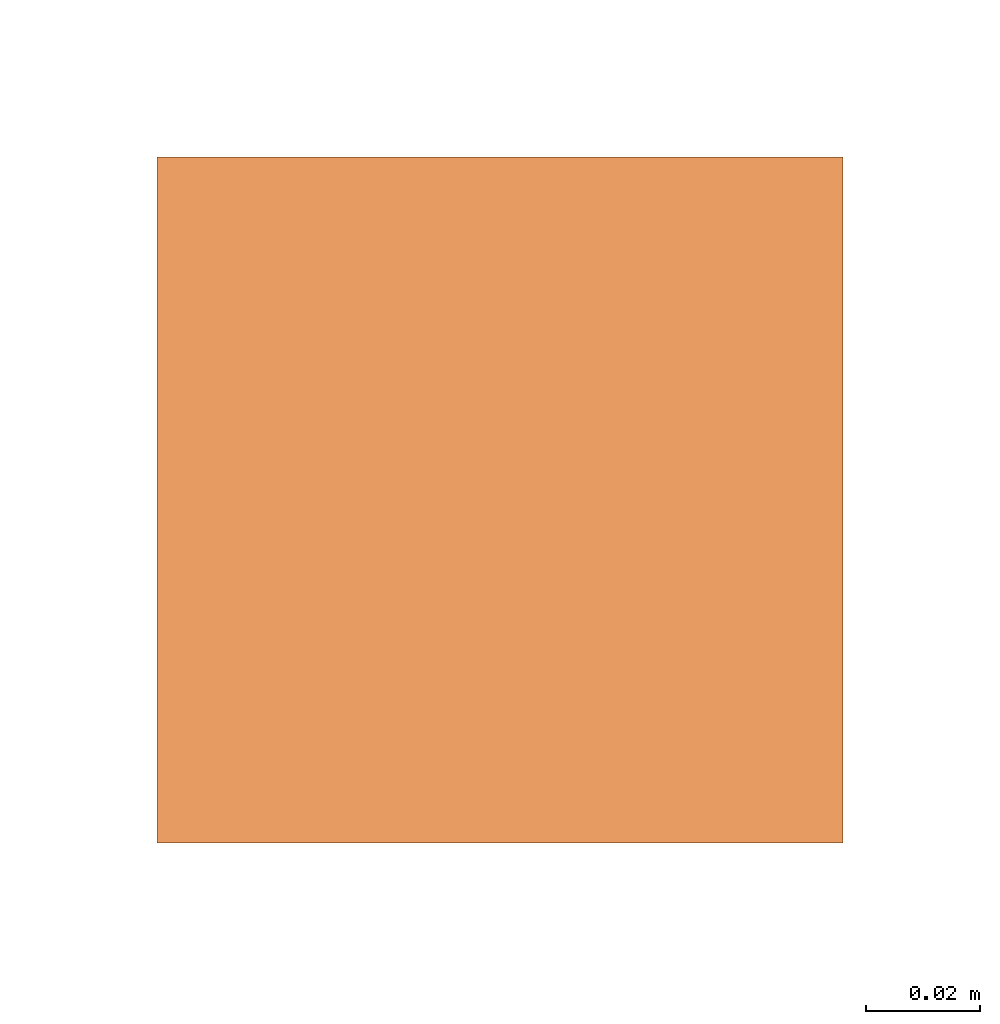
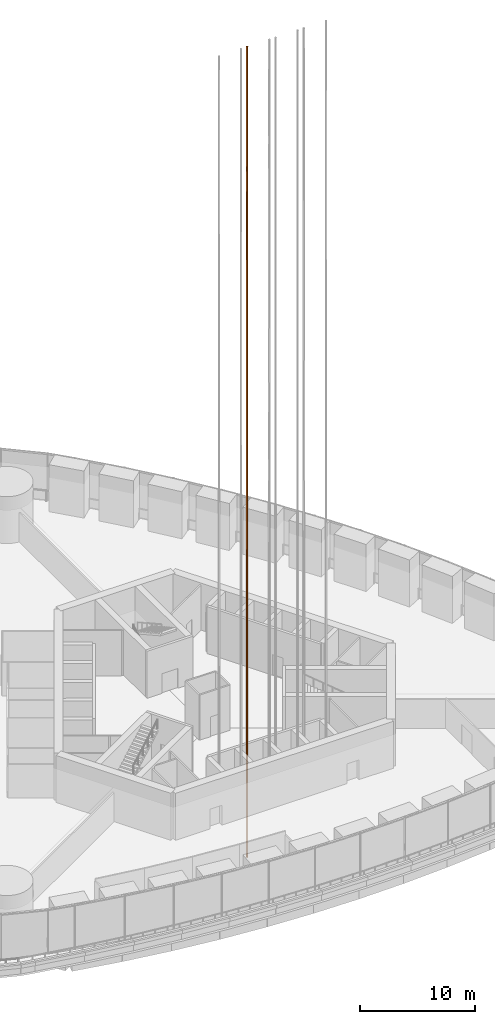
# One storey, part 28 of 33: 1 proxy.
"""IFC4 building model written with IfcOpenShell, lengths in metres."""

from ifc_helpers import new_model, si_unit, direction, frame, origin, origin_2d, place, context, subcontext, project, spatial, rectangle, extrude, element, save


model = new_model("IFC4")

# Units and contexts
model_context = context("Model", 3, precision=1e-05, world=origin(), true_north=direction((0.0, 1.0)))
body_context = subcontext(model_context, "Body", "Model", "MODEL_VIEW")
ifc_project = project(units=[si_unit("LENGTHUNIT", "METRE"), si_unit("AREAUNIT", "SQUARE_METRE"), si_unit("VOLUMEUNIT", "CUBIC_METRE"), si_unit("PLANEANGLEUNIT", "RADIAN"), si_unit("MASSUNIT", "GRAM", prefix="KILO")], contexts=[model_context])

# Site, building, storey
site_placement = place(None, origin())
site = spatial("IfcSite", under=ifc_project, at=site_placement, CompositionType="ELEMENT")
building_placement = place(site_placement, origin())
building = spatial("IfcBuilding", under=site, at=building_placement, Name="Trefoil Bronze Tower", CompositionType="ELEMENT")
storey_placement = place(building_placement, frame((0.0, 0.0, 98.10009765625)))
storey = spatial("IfcBuildingStorey", under=building, at=storey_placement, Name="L22", CompositionType="ELEMENT", Elevation=98.10009765625)

# Proxy
proxy_placement = place(storey_placement, frame((-2.534912109375, -11.3125, -6.0), z_axis=(0.0, 0.0, 1.0), x_axis=(1.0, 0.0, 0.0)))
element("IfcBuildingElementProxy", 1, at=proxy_placement, inside=storey, Name="Lift P22 guide rail 1", ObjectType="LIFT GUIDE RAIL", PredefinedType="USERDEFINED", context=body_context, shape_type="SweptSolid", body=[
    extrude(rectangle(XDim=0.1201171875, YDim=0.1201171875, at=origin_2d()), origin(), (0.0, 0.0, 1.0), 86.25),
])

save(model, "model.ifc")
